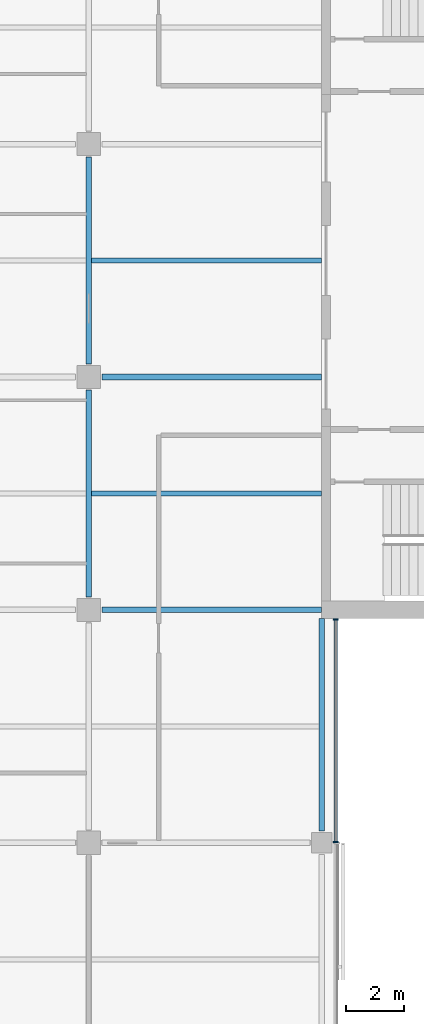
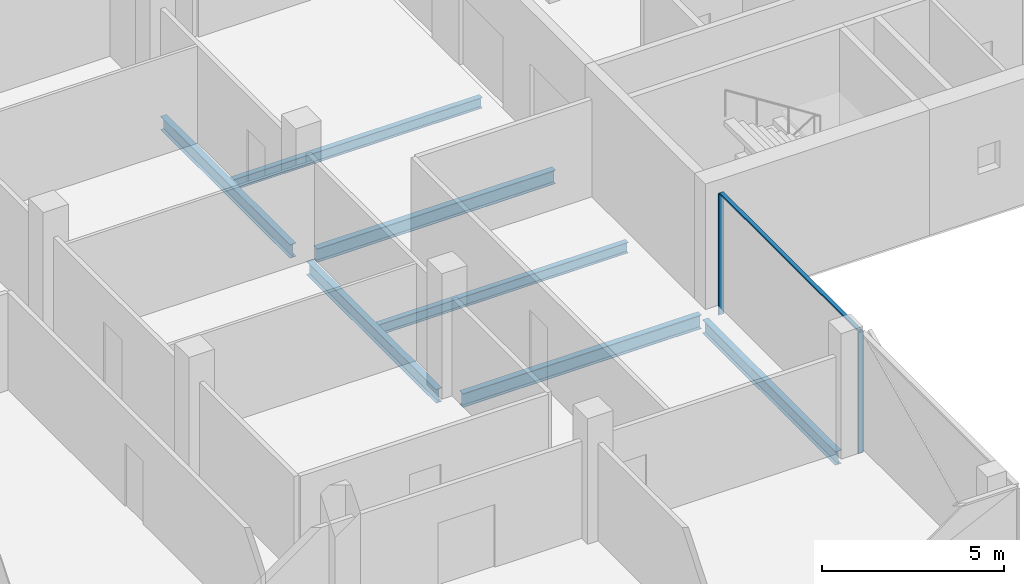
# One storey, part 4 of 15: 7 beams, 3 members, 1 element without a shape of its own.
"""IFC4 building model written with IfcOpenShell, lengths in metres."""

from ifc_helpers import new_model, si_unit, direction, frame, origin, origin_2d, place, context, subcontext, project, spatial, rectangle, i_section, extrude, material, material_profile, profile_set, type_object, element, aggregate, save


model = new_model("IFC4")

# Units and contexts
model_context = context("Model", 3, precision=1e-05, world=origin(), true_north=direction((0.0, 1.0)))
body_context = subcontext(model_context, "Body", "Model", "MODEL_VIEW")
ifc_project = project(units=[si_unit("LENGTHUNIT", "METRE"), si_unit("AREAUNIT", "SQUARE_METRE"), si_unit("VOLUMEUNIT", "CUBIC_METRE"), si_unit("PLANEANGLEUNIT", "RADIAN"), si_unit("MASSUNIT", "GRAM", prefix="KILO")], contexts=[model_context])

# Site, building, storey
site_placement = place(None, origin())
site = spatial("IfcSite", under=ifc_project, at=site_placement, CompositionType="ELEMENT")
building_placement = place(site_placement, origin())
building = spatial("IfcBuilding", under=site, at=building_placement, Name="Crosswind Convention Tower", CompositionType="ELEMENT")
storey_placement = place(building_placement, frame((0.0, 0.0, 233.5)))
storey = spatial("IfcBuildingStorey", under=building, at=storey_placement, Name="L50", CompositionType="ELEMENT", Elevation=233.5)

# Beams
ifc_material_1 = material(Name="Steel S355", Category="steel")
ifc_material_profile_1 = material_profile(ifc_material_1, i_section(OverallWidth=0.18994140625, OverallDepth=0.45361328125, WebThickness=0.008544921875, FlangeThickness=0.0126953125, FilletRadius=0.01025390625, at=origin_2d()), Name="UB 457x191x67")
ifc_profile_set_1 = profile_set([ifc_material_profile_1], Name="Steel S355")
beam_type_1 = type_object("IfcBeamType", Name="Edge beam UB 457x191x67", PredefinedType="SPANDREL", material=ifc_profile_set_1)
beam_placement = place(storey_placement, frame((137.0, 80.39990234375, -0.52685546875), z_axis=(0.0, 1.0, 0.0), x_axis=(-1.0, 0.0, 0.0)))
element("IfcBeam", 1, at=beam_placement, inside=storey, type_object=beam_type_1, Name="B16 L50 edge beam 12", PredefinedType="SPANDREL", context=body_context, shape_type="SweptSolid", body=[
    extrude(i_section(OverallWidth=0.18994140625, OverallDepth=0.45361328125, WebThickness=0.008544921875, FlangeThickness=0.0126953125, FilletRadius=0.01025390625, at=origin_2d()), origin(), (0.0, 0.0, 1.0), 7.300048828125),
])
ifc_material_profile_2 = material_profile(ifc_material_1, i_section(OverallWidth=0.1904296875, OverallDepth=0.457275390625, WebThickness=0.009033203125, FlangeThickness=0.014404296875, FilletRadius=0.01025390625, at=origin_2d()), Name="UB 457x191x75")
ifc_profile_set_2 = profile_set([ifc_material_profile_2], Name="Steel S355")
beam_type_2 = type_object("IfcBeamType", Name="Girder UB 457x191x75", PredefinedType="BEAM", material=ifc_profile_set_2)
for number, where, z_axis, x_axis, name in (
    (2, (129.0, 88.449951171875, -0.528564453125), (0.0, 1.0, 0.0), (-1.0, 0.0, 0.0), "B2 L50 girder 18"),
    (3, (129.0, 96.449951171875, -0.528564453125), (0.0, 1.0, 0.0), (-1.0, 0.0, 0.0), "B2 L50 girder 19"),
):
    element("IfcBeam", number, at=place(storey_placement, frame(where, z_axis=z_axis, x_axis=x_axis)), inside=storey, type_object=beam_type_2, Name=name, PredefinedType="BEAM", context=body_context, shape_type="SweptSolid", body=[
        extrude(i_section(OverallWidth=0.1904296875, OverallDepth=0.457275390625, WebThickness=0.009033203125, FlangeThickness=0.014404296875, FilletRadius=0.01025390625, at=origin_2d()), origin(), (0.0, 0.0, 1.0), 7.10009765625),
    ])
ifc_material_profile_3 = material_profile(ifc_material_1, i_section(OverallWidth=0.19140625, OverallDepth=0.460205078125, WebThickness=0.010009765625, FlangeThickness=0.01611328125, FilletRadius=0.01025390625, at=origin_2d()), Name="UB 457x191x82")
ifc_profile_set_3 = profile_set([ifc_material_profile_3], Name="Steel S355")
beam_type_3 = type_object("IfcBeamType", Name="Girder at core wall UB 457x191x82", PredefinedType="BEAM", material=ifc_profile_set_3)
for number, where, z_axis, x_axis, name in (
    (4, (129.449951171875, 88.0, -0.530029296875), (1.0, 0.0, 0.0), (0.0, 1.0, 0.0), "B23 L50 girder at core wall 5"),
    (5, (129.449951171875, 96.0, -0.530029296875), (1.0, 0.0, 0.0), (0.0, 1.0, 0.0), "B23 L50 girder at core wall 6"),
):
    element("IfcBeam", number, at=place(storey_placement, frame(where, z_axis=z_axis, x_axis=x_axis)), inside=storey, type_object=beam_type_3, Name=name, PredefinedType="BEAM", context=body_context, shape_type="SweptSolid", body=[
        extrude(i_section(OverallWidth=0.19140625, OverallDepth=0.460205078125, WebThickness=0.010009765625, FlangeThickness=0.01611328125, FilletRadius=0.01025390625, at=origin_2d()), origin(), (0.0, 0.0, 1.0), 7.550048828125),
    ])

# Curtain wall, members
ifc_material_2 = material(Name="Aluminium unitised curtain wall", Category="aluminium")
curtain_wall_type = type_object("IfcCurtainWallType", Name="CORE END SLOT WALL 160", PredefinedType="USERDEFINED", material=ifc_material_2)
curtain_wall_placement = place(storey_placement, origin())
curtain_wall = element("IfcCurtainWall", 6, at=curtain_wall_placement, inside=storey, type_object=curtain_wall_type, Name="CW6 L50 S-E.1-2 slot", ObjectType="UNITISED", PredefinedType="USERDEFINED")
ifc_material_3 = material(Name="Aluminium mullion", Category="aluminium")
ifc_material_profile_4 = material_profile(ifc_material_3, rectangle(XDim=0.159912109375, YDim=0.050048828125, at=origin_2d()), Name="AL 160X50")
ifc_profile_set_4 = profile_set([ifc_material_profile_4], Name="Aluminium mullion")
member_type_1 = type_object("IfcMemberType", Name="MULLION 50X160", PredefinedType="MULLION", material=ifc_profile_set_4)
member_1_placement = place(storey_placement, frame((137.47998046875, 80.02490234375, -0.300048828125), z_axis=(0.0, 0.0, 1.0), x_axis=(1.0, 0.0, 0.0)))
member_1 = element("IfcMember", 7, at=member_1_placement, type_object=member_type_1, Name="CW6 mullion 1", PredefinedType="MULLION", context=body_context, shape_type="SweptSolid", body=[
    extrude(rectangle(XDim=0.159912109375, YDim=0.050048828125, at=origin_2d()), origin(), (0.0, 0.0, 1.0), 4.050048828125),
])
member_2_placement = place(storey_placement, frame((137.47998046875, 87.675048828125, -0.300048828125), z_axis=(0.0, 0.0, 1.0), x_axis=(1.0, 0.0, 0.0)))
member_2 = element("IfcMember", 8, at=member_2_placement, type_object=member_type_1, Name="CW6 mullion 2", PredefinedType="MULLION", context=body_context, shape_type="SweptSolid", body=[
    extrude(rectangle(XDim=0.159912109375, YDim=0.050048828125, at=origin_2d()), origin(), (0.0, 0.0, 1.0), 4.050048828125),
])

# Beams
ifc_material_profile_5 = material_profile(ifc_material_1, i_section(OverallWidth=0.172119140625, OverallDepth=0.358642578125, WebThickness=0.008056640625, FlangeThickness=0.012939453125, FilletRadius=0.01025390625, at=origin_2d()), Name="UB 356x171x57")
ifc_profile_set_5 = profile_set([ifc_material_profile_5], Name="Steel S355")
beam_type_4 = type_object("IfcBeamType", Name="Secondary beam UB 356x171x57", PredefinedType="JOIST", material=ifc_profile_set_5)
for number, where, z_axis, x_axis, name in (
    (9, (129.09521484375, 92.0, -0.479248046875), (1.0, 0.0, 0.0), (0.0, 1.0, 0.0), "B9 L50 secondary beam 17"),
    (10, (129.09521484375, 100.0, -0.479248046875), (1.0, 0.0, 0.0), (0.0, 1.0, 0.0), "B9 L50 secondary beam 18"),
):
    element("IfcBeam", number, at=place(storey_placement, frame(where, z_axis=z_axis, x_axis=x_axis)), inside=storey, type_object=beam_type_4, Name=name, PredefinedType="JOIST", context=body_context, shape_type="SweptSolid", body=[
        extrude(i_section(OverallWidth=0.172119140625, OverallDepth=0.358642578125, WebThickness=0.008056640625, FlangeThickness=0.012939453125, FilletRadius=0.01025390625, at=origin_2d()), origin(), (0.0, 0.0, 1.0), 7.90478515625),
    ])

# Member
ifc_material_4 = material(Name="Aluminium transom", Category="aluminium")
ifc_material_profile_6 = material_profile(ifc_material_4, rectangle(XDim=0.1201171875, YDim=0.050048828125, at=origin_2d()), Name="AL 120X50")
ifc_profile_set_6 = profile_set([ifc_material_profile_6], Name="Aluminium transom")
member_type_2 = type_object("IfcMemberType", Name="TRANSOM 50X120", PredefinedType="USERDEFINED", material=ifc_profile_set_6)
member_3_placement = place(storey_placement, frame((137.47998046875, 80.050048828125, 3.77490234375), z_axis=(0.0, 1.0, 0.0), x_axis=(-1.0, 0.0, 0.0)))
member_3 = element("IfcMember", 11, at=member_3_placement, type_object=member_type_2, Name="CW6 transom", ObjectType="TRANSOM", PredefinedType="USERDEFINED", context=body_context, shape_type="SweptSolid", body=[
    extrude(rectangle(XDim=0.1201171875, YDim=0.050048828125, at=origin_2d()), origin(), (0.0, 0.0, 1.0), 7.599853515625),
])

aggregate(curtain_wall, [member_1, member_2, member_3])

save(model, "model.ifc")
